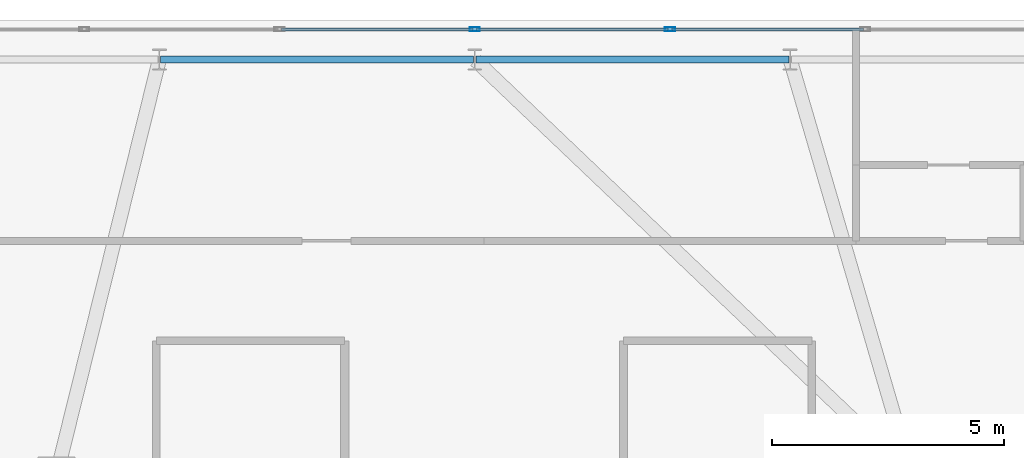
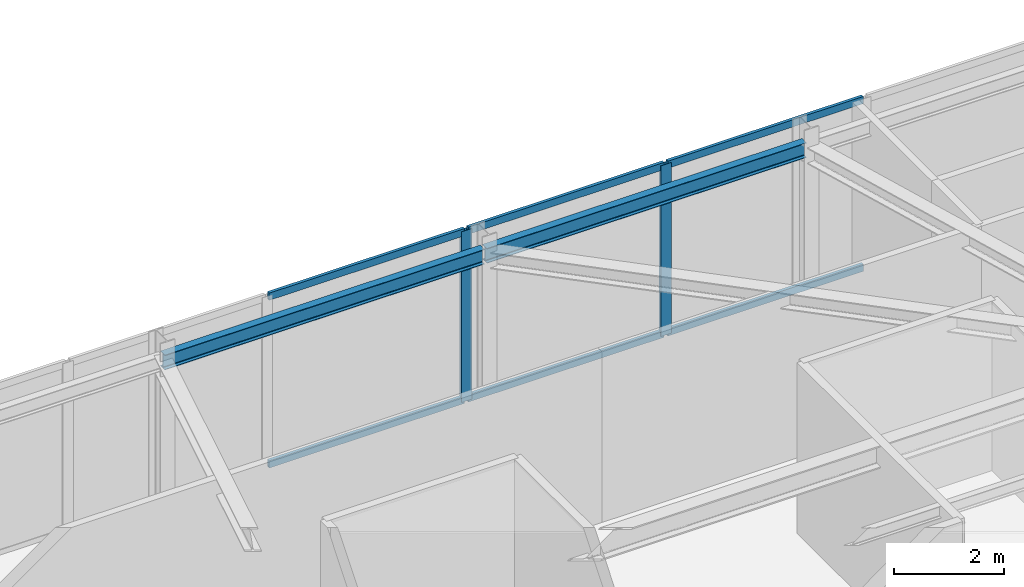
# One storey, part 19 of 27: 8 members, 2 beams, 1 element without a shape of its own.
"""IFC4 building model written with IfcOpenShell, lengths in metres."""

from ifc_helpers import new_model, si_unit, direction, frame, origin, origin_2d, place, context, subcontext, project, spatial, hollow_rectangle, i_section, extrude, material, layer, layer_set, material_profile, profile_set, type_object, element, aggregate, save


model = new_model("IFC4")

# Units and contexts
model_context = context("Model", 3, precision=1e-05, world=origin(), true_north=direction((0.0, 1.0)))
body_context = subcontext(model_context, "Body", "Model", "MODEL_VIEW")
ifc_project = project(units=[si_unit("LENGTHUNIT", "METRE"), si_unit("AREAUNIT", "SQUARE_METRE"), si_unit("VOLUMEUNIT", "CUBIC_METRE"), si_unit("PLANEANGLEUNIT", "RADIAN"), si_unit("MASSUNIT", "GRAM", prefix="KILO")], contexts=[model_context])

# Site, building, storey
site_placement = place(None, origin())
site = spatial("IfcSite", under=ifc_project, at=site_placement, CompositionType="ELEMENT")
building_placement = place(site_placement, origin())
building = spatial("IfcBuilding", under=site, at=building_placement, Name="Qobustan Lattice House", CompositionType="ELEMENT")
storey_placement = place(building_placement, frame((0.0, 0.0, 266.0)))
storey = spatial("IfcBuildingStorey", under=building, at=storey_placement, Name="L75", CompositionType="ELEMENT", Elevation=266.0)

# Beams
ifc_material_1 = material(Name="Steel S355", Category="steel")
ifc_material_profile_1 = material_profile(ifc_material_1, i_section(OverallWidth=0.159912109375, OverallDepth=0.330078125, WebThickness=0.007568359375, FlangeThickness=0.011474609375, FilletRadius=0.01806640625, at=origin_2d()), Name="IPE330")
ifc_profile_set_1 = profile_set([ifc_material_profile_1], Name="Steel S355")
beam_type = type_object("IfcBeamType", Name="BM-SPD-IPE330", PredefinedType="SPANDREL", material=ifc_profile_set_1)
beam_1_placement = place(storey_placement, frame((6.558349609375, 14.550048828125, 3.635009765625), z_axis=(-1.0, 0.0, 0.0), x_axis=(0.0, -1.0, 0.0)))
element("IfcBeam", 1, at=beam_1_placement, inside=storey, type_object=beam_type, Name="L75 perimeter spandrel N3-N4", PredefinedType="SPANDREL", context=body_context, shape_type="SweptSolid", body=[
    extrude(i_section(OverallWidth=0.159912109375, OverallDepth=0.330078125, WebThickness=0.007568359375, FlangeThickness=0.011474609375, FilletRadius=0.01806640625, at=origin_2d()), origin(), (0.0, 0.0, 1.0), 6.7333984375),
])
beam_2_placement = place(storey_placement, frame((-0.22509765625, 14.550048828125, 3.635009765625), z_axis=(-1.0, 0.0, 0.0), x_axis=(0.0, -1.0, 0.0)))
element("IfcBeam", 2, at=beam_2_placement, inside=storey, type_object=beam_type, Name="L75 perimeter spandrel N4-N5", PredefinedType="SPANDREL", context=body_context, shape_type="SweptSolid", body=[
    extrude(i_section(OverallWidth=0.159912109375, OverallDepth=0.330078125, WebThickness=0.007568359375, FlangeThickness=0.011474609375, FilletRadius=0.01806640625, at=origin_2d()), origin(), (0.0, 0.0, 1.0), 6.733154296875),
])

# Curtain wall, members
ifc_material_2 = material(Name="Anodised aluminium and low-E glazing", Category="aluminium")
ifc_layer = layer(ifc_material_2, 0.219970703125)
ifc_layer_set = layer_set([ifc_layer], Name="Anodised aluminium and low-E glazing")
curtain_wall_type = type_object("IfcCurtainWallType", Name="CW-OBS-01", PredefinedType="USERDEFINED", material=ifc_layer_set)
curtain_wall_placement = place(storey_placement, origin())
curtain_wall = element("IfcCurtainWall", 3, at=curtain_wall_placement, inside=storey, type_object=curtain_wall_type, Name="L75 N panoramic observation curtain wall", ObjectType="CURTAIN WALL", PredefinedType="USERDEFINED")
ifc_material_3 = material(Name="Anodised aluminium EN AW-6063 T6", Category="aluminium")
ifc_material_profile_2 = material_profile(ifc_material_3, hollow_rectangle(XDim=0.080078125, YDim=0.219970703125, WallThickness=0.0048828125, at=origin_2d()), Name="CWM-220x80")
ifc_profile_set_2 = profile_set([ifc_material_profile_2], Name="Anodised aluminium EN AW-6063 T6")
member_type_1 = type_object("IfcMemberType", Name="CWM-MAIN-220", PredefinedType="MULLION", material=ifc_profile_set_2)
member_1_placement = place(storey_placement, frame((-0.199951171875, 15.199951171875, 0.0), z_axis=(0.0, 0.0, 1.0), x_axis=(0.0, 1.0, 0.0)))
member_1 = element("IfcMember", 4, at=member_1_placement, type_object=member_type_1, Name="CW-OB mullion 6", PredefinedType="MULLION", context=body_context, shape_type="SweptSolid", body=[
    extrude(hollow_rectangle(XDim=0.080078125, YDim=0.219970703125, WallThickness=0.0048828125, at=origin_2d()), origin(), (0.0, 0.0, 1.0), 3.800048828125),
])
member_2_placement = place(storey_placement, frame((4.0, 15.199951171875, 0.0), z_axis=(0.0, 0.0, 1.0), x_axis=(0.0, 1.0, 0.0)))
member_2 = element("IfcMember", 5, at=member_2_placement, type_object=member_type_1, Name="CW-OB mullion 7", PredefinedType="MULLION", context=body_context, shape_type="SweptSolid", body=[
    extrude(hollow_rectangle(XDim=0.080078125, YDim=0.219970703125, WallThickness=0.0048828125, at=origin_2d()), origin(), (0.0, 0.0, 1.0), 3.800048828125),
])
ifc_material_4 = material(Name="Anodised aluminium EN AW-6063 T6", Category="aluminium")
ifc_material_profile_3 = material_profile(ifc_material_4, hollow_rectangle(XDim=0.06494140625, YDim=0.159912109375, WallThickness=0.00390625, at=origin_2d()), Name="CWT-160x65")
ifc_profile_set_3 = profile_set([ifc_material_profile_3], Name="Anodised aluminium EN AW-6063 T6")
member_type_2 = type_object("IfcMemberType", Name="CWT-HOR-160", PredefinedType="USERDEFINED", material=ifc_profile_set_3)
member_3_placement = place(storey_placement, frame((-4.360107421875, 15.199951171875, 0.032470703125), z_axis=(1.0, 0.0, 0.0), x_axis=(0.0, 1.0, 0.0)))
member_3 = element("IfcMember", 6, at=member_3_placement, type_object=member_type_2, Name="CW-OB transom 5.1", ObjectType="TRANSOM", PredefinedType="USERDEFINED", context=body_context, shape_type="SweptSolid", body=[
    extrude(hollow_rectangle(XDim=0.06494140625, YDim=0.159912109375, WallThickness=0.00390625, at=origin_2d()), origin(), (0.0, 0.0, 1.0), 4.1201171875),
])
member_4_placement = place(storey_placement, frame((-4.360107421875, 15.199951171875, 3.767578125), z_axis=(1.0, 0.0, 0.0), x_axis=(0.0, 1.0, 0.0)))
member_4 = element("IfcMember", 7, at=member_4_placement, type_object=member_type_2, Name="CW-OB transom 5.2", ObjectType="TRANSOM", PredefinedType="USERDEFINED", context=body_context, shape_type="SweptSolid", body=[
    extrude(hollow_rectangle(XDim=0.06494140625, YDim=0.159912109375, WallThickness=0.00390625, at=origin_2d()), origin(), (0.0, 0.0, 1.0), 4.1201171875),
])
member_5_placement = place(storey_placement, frame((-0.159912109375, 15.199951171875, 0.032470703125), z_axis=(1.0, 0.0, 0.0), x_axis=(0.0, 1.0, 0.0)))
member_5 = element("IfcMember", 8, at=member_5_placement, type_object=member_type_2, Name="CW-OB transom 6.1", ObjectType="TRANSOM", PredefinedType="USERDEFINED", context=body_context, shape_type="SweptSolid", body=[
    extrude(hollow_rectangle(XDim=0.06494140625, YDim=0.159912109375, WallThickness=0.00390625, at=origin_2d()), origin(), (0.0, 0.0, 1.0), 4.119873046875),
])
member_6_placement = place(storey_placement, frame((-0.159912109375, 15.199951171875, 3.767578125), z_axis=(1.0, 0.0, 0.0), x_axis=(0.0, 1.0, 0.0)))
member_6 = element("IfcMember", 9, at=member_6_placement, type_object=member_type_2, Name="CW-OB transom 6.2", ObjectType="TRANSOM", PredefinedType="USERDEFINED", context=body_context, shape_type="SweptSolid", body=[
    extrude(hollow_rectangle(XDim=0.06494140625, YDim=0.159912109375, WallThickness=0.00390625, at=origin_2d()), origin(), (0.0, 0.0, 1.0), 4.119873046875),
])
member_7_placement = place(storey_placement, frame((4.0400390625, 15.199951171875, 0.032470703125), z_axis=(1.0, 0.0, 0.0), x_axis=(0.0, 1.0, 0.0)))
member_7 = element("IfcMember", 10, at=member_7_placement, type_object=member_type_2, Name="CW-OB transom 7.1", ObjectType="TRANSOM", PredefinedType="USERDEFINED", context=body_context, shape_type="SweptSolid", body=[
    extrude(hollow_rectangle(XDim=0.06494140625, YDim=0.159912109375, WallThickness=0.00390625, at=origin_2d()), origin(), (0.0, 0.0, 1.0), 4.119873046875),
])
member_8_placement = place(storey_placement, frame((4.0400390625, 15.199951171875, 3.767578125), z_axis=(1.0, 0.0, 0.0), x_axis=(0.0, 1.0, 0.0)))
member_8 = element("IfcMember", 11, at=member_8_placement, type_object=member_type_2, Name="CW-OB transom 7.2", ObjectType="TRANSOM", PredefinedType="USERDEFINED", context=body_context, shape_type="SweptSolid", body=[
    extrude(hollow_rectangle(XDim=0.06494140625, YDim=0.159912109375, WallThickness=0.00390625, at=origin_2d()), origin(), (0.0, 0.0, 1.0), 4.119873046875),
])
aggregate(curtain_wall, [member_1, member_2, member_3, member_4, member_5, member_6, member_7, member_8])

save(model, "model.ifc")
